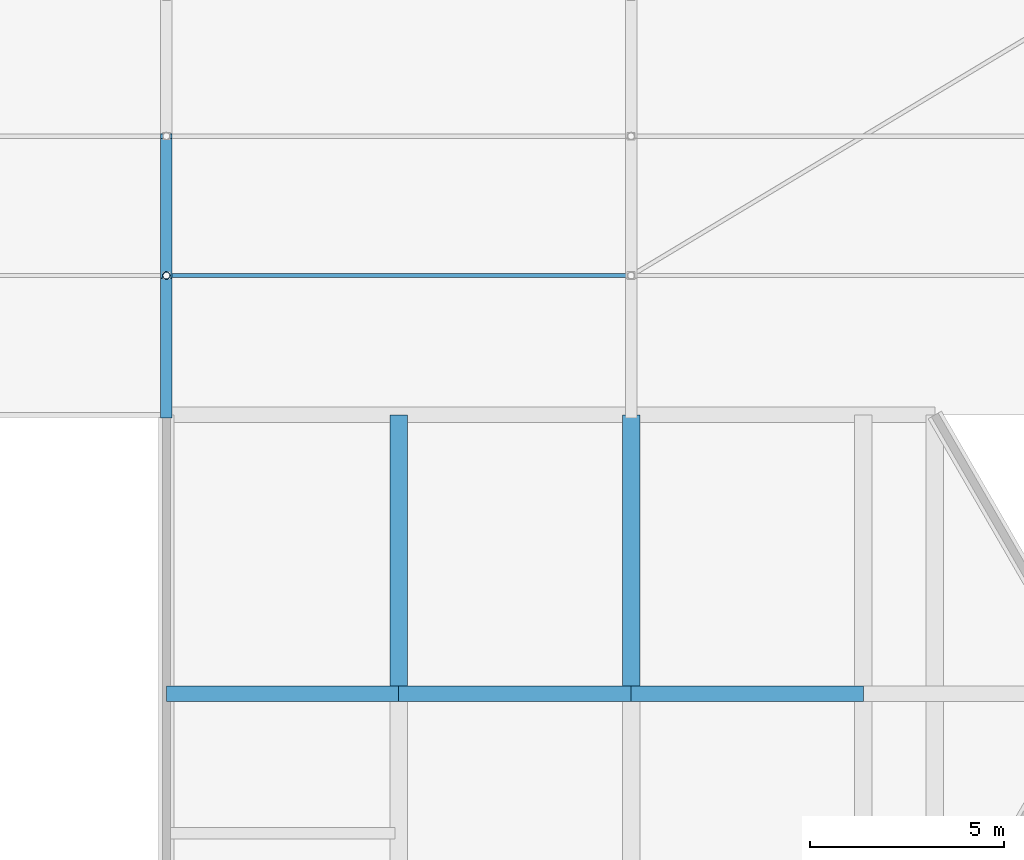
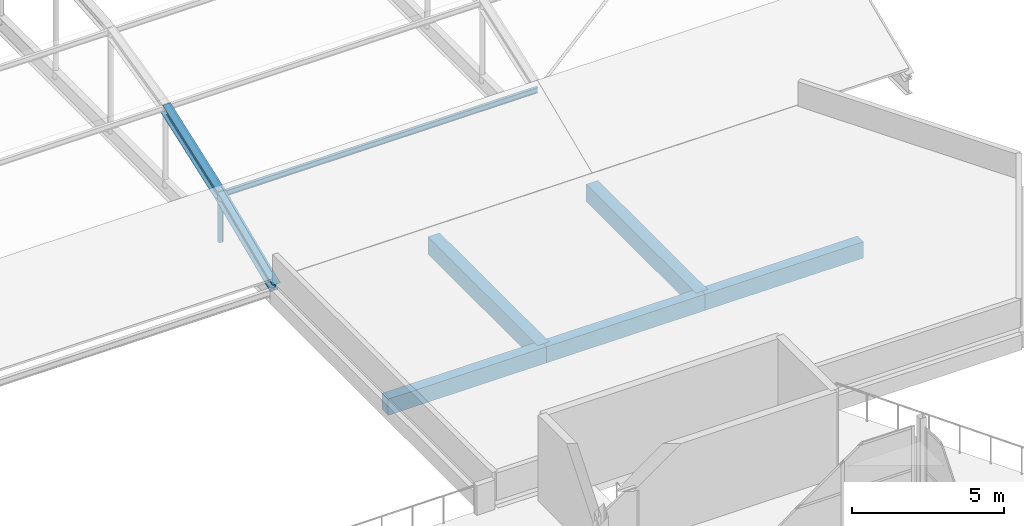
# One storey, part 170 of 239: 7 beams, 2 members.
"""IFC4 building model written with IfcOpenShell, lengths in metres."""

from ifc_helpers import new_model, si_unit, direction, frame, origin, origin_2d, place, context, subcontext, project, spatial, rectangle, hollow_circle, i_section, extrude, material, material_profile, profile_set, type_object, element, save


model = new_model("IFC4")

# Units and contexts
model_context = context("Model", 3, precision=1e-05, world=origin(), true_north=direction((0.0, 1.0)))
body_context = subcontext(model_context, "Body", "Model", "MODEL_VIEW")
ifc_project = project(units=[si_unit("LENGTHUNIT", "METRE"), si_unit("AREAUNIT", "SQUARE_METRE"), si_unit("VOLUMEUNIT", "CUBIC_METRE"), si_unit("PLANEANGLEUNIT", "RADIAN"), si_unit("MASSUNIT", "GRAM", prefix="KILO")], contexts=[model_context])

# Site, building, storey
site_placement = place(None, origin())
site = spatial("IfcSite", under=ifc_project, at=site_placement, CompositionType="ELEMENT")
building_placement = place(site_placement, origin())
building = spatial("IfcBuilding", under=site, at=building_placement, Name="Dunvalen Ferry Terminal", CompositionType="ELEMENT")
storey_placement = place(building_placement, frame((0.0, 0.0, 9.840087890625)))
storey = spatial("IfcBuildingStorey", under=building, at=storey_placement, Name="L02", CompositionType="ELEMENT", Elevation=9.840087890625)

# Beams
ifc_material_1 = material(Name="Steel S355", Category="steel")
ifc_material_profile_1 = material_profile(ifc_material_1, i_section(OverallWidth=0.300048828125, OverallDepth=0.389892578125, WebThickness=0.010986328125, FlangeThickness=0.01904296875, FilletRadius=0.027099609375, at=origin_2d()), Name="Steel S355")
ifc_profile_set_1 = profile_set([ifc_material_profile_1], Name="Steel S355")
beam_type_1 = type_object("IfcBeamType", Name="STR-BM-HEA400", PredefinedType="BEAM", material=ifc_profile_set_1)
beam_1_placement = place(storey_placement, frame((144.0, 57.60009765625, 0.0), z_axis=(0.0, 0.920277550042, 0.391266189299), x_axis=(-1.0, 0.0, 0.0)))
element("IfcBeam", 1, at=beam_1_placement, inside=storey, type_object=beam_type_1, Name="Arrivals Hall Barrel-Vault Arch Rib 04.1", PredefinedType="BEAM", context=body_context, shape_type="SweptSolid", body=[
    extrude(i_section(OverallWidth=0.300048828125, OverallDepth=0.389892578125, WebThickness=0.010986328125, FlangeThickness=0.01904296875, FilletRadius=0.027099609375, at=origin_2d()), origin(), (0.0, 0.0, 1.0), 3.91162109375),
])
beam_2_placement = place(storey_placement, frame((144.0, 61.199951171875, 1.530517578125), z_axis=(0.0, 0.940736051004, 0.33913962072), x_axis=(-1.0, 0.0, 0.0)))
element("IfcBeam", 2, at=beam_2_placement, inside=storey, type_object=beam_type_1, Name="Arrivals Hall Barrel-Vault Arch Rib 04.2", PredefinedType="BEAM", context=body_context, shape_type="SweptSolid", body=[
    extrude(i_section(OverallWidth=0.300048828125, OverallDepth=0.389892578125, WebThickness=0.010986328125, FlangeThickness=0.01904296875, FilletRadius=0.027099609375, at=origin_2d()), origin(), (0.0, 0.0, 1.0), 3.826904296875),
])
ifc_material_2 = material(Name="Concrete C40/50", Category="concrete")
ifc_material_profile_2 = material_profile(ifc_material_2, rectangle(XDim=0.39990234375, YDim=0.64990234375, at=origin_2d()), Name="Concrete C40/50")
ifc_profile_set_2 = profile_set([ifc_material_profile_2], Name="Concrete C40/50")
beam_type_2 = type_object("IfcBeamType", Name="STR-BM-RCB650", PredefinedType="BEAM", material=ifc_profile_set_2)
for number, where, z_axis, x_axis, name in (
    (3, (144.0, 50.39990234375, -0.3251953125), (1.0, 0.0, 0.0), (0.0, 1.0, 0.0), "L02 V2A Primary Beam X-005"),
    (4, (150.0, 50.39990234375, -0.3251953125), (1.0, 0.0, 0.0), (0.0, 1.0, 0.0), "L02 V2A Primary Beam X-006"),
    (5, (156.0, 50.39990234375, -0.3251953125), (1.0, 0.0, 0.0), (0.0, 1.0, 0.0), "L02 V2A Primary Beam X-007"),
):
    element("IfcBeam", number, at=place(storey_placement, frame(where, z_axis=z_axis, x_axis=x_axis)), inside=storey, type_object=beam_type_2, Name=name, PredefinedType="BEAM", context=body_context, shape_type="SweptSolid", body=[
        extrude(rectangle(XDim=0.39990234375, YDim=0.64990234375, at=origin_2d()), origin(), (0.0, 0.0, 1.0), 6.0),
    ])
ifc_material_profile_3 = material_profile(ifc_material_2, rectangle(XDim=0.449951171875, YDim=0.699951171875, at=origin_2d()), Name="Concrete C40/50")
ifc_profile_set_3 = profile_set([ifc_material_profile_3], Name="Concrete C40/50")
beam_type_3 = type_object("IfcBeamType", Name="STR-BM-RCB700", PredefinedType="BEAM", material=ifc_profile_set_3)
for number, where, z_axis, x_axis, name in (
    (6, (150.0, 50.39990234375, -0.35009765625), (0.0, 1.0, 0.0), (-1.0, 0.0, 0.0), "L02 V2A Primary Girder Y-016"),
    (7, (156.0, 50.39990234375, -0.35009765625), (0.0, 1.0, 0.0), (-1.0, 0.0, 0.0), "L02 V2A Primary Girder Y-018"),
):
    element("IfcBeam", number, at=place(storey_placement, frame(where, z_axis=z_axis, x_axis=x_axis)), inside=storey, type_object=beam_type_3, Name=name, PredefinedType="BEAM", context=body_context, shape_type="SweptSolid", body=[
        extrude(rectangle(XDim=0.449951171875, YDim=0.699951171875, at=origin_2d()), origin(), (0.0, 0.0, 1.0), 7.2001953125),
    ])

# Members
ifc_material_profile_4 = material_profile(ifc_material_1, hollow_circle(Radius=0.096923828125, WallThickness=0.008056640625, at=origin_2d()), Name="Steel S355")
ifc_profile_set_4 = profile_set([ifc_material_profile_4], Name="Steel S355")
member_type_1 = type_object("IfcMemberType", Name="STR-MB-CHS193", PredefinedType="STRUT", material=ifc_profile_set_4)
member_1_placement = place(storey_placement, frame((144.0, 61.199951171875, -0.340087890625), z_axis=(0.0, 0.0, 1.0), x_axis=(1.0, 0.0, 0.0)))
element("IfcMember", 8, at=member_1_placement, inside=storey, type_object=member_type_1, Name="Arrivals Hall Vault Hanger 04.1", PredefinedType="STRUT", context=body_context, shape_type="SweptSolid", body=[
    extrude(hollow_circle(Radius=0.096923828125, WallThickness=0.008056640625, at=origin_2d()), origin(), (0.0, 0.0, 1.0), 1.87060546875),
])
ifc_material_profile_5 = material_profile(ifc_material_1, i_section(OverallWidth=0.110107421875, OverallDepth=0.219970703125, WebThickness=0.005859375, FlangeThickness=0.00927734375, FilletRadius=0.011962890625, at=origin_2d()), Name="Steel S355")
ifc_profile_set_5 = profile_set([ifc_material_profile_5], Name="Steel S355")
member_type_2 = type_object("IfcMemberType", Name="STR-MB-IPE220", PredefinedType="PURLIN", material=ifc_profile_set_5)
member_2_placement = place(storey_placement, frame((144.0, 61.199951171875, 1.530517578125), z_axis=(1.0, 0.0, 0.0), x_axis=(0.0, 1.0, 0.0)))
element("IfcMember", 9, at=member_2_placement, inside=storey, type_object=member_type_2, Name="Arrivals Hall Barrel-Vault Purlin 4.2", PredefinedType="PURLIN", context=body_context, shape_type="SweptSolid", body=[
    extrude(i_section(OverallWidth=0.110107421875, OverallDepth=0.219970703125, WebThickness=0.005859375, FlangeThickness=0.00927734375, FilletRadius=0.011962890625, at=origin_2d()), origin(), (0.0, 0.0, 1.0), 12.0),
])

save(model, "model.ifc")
